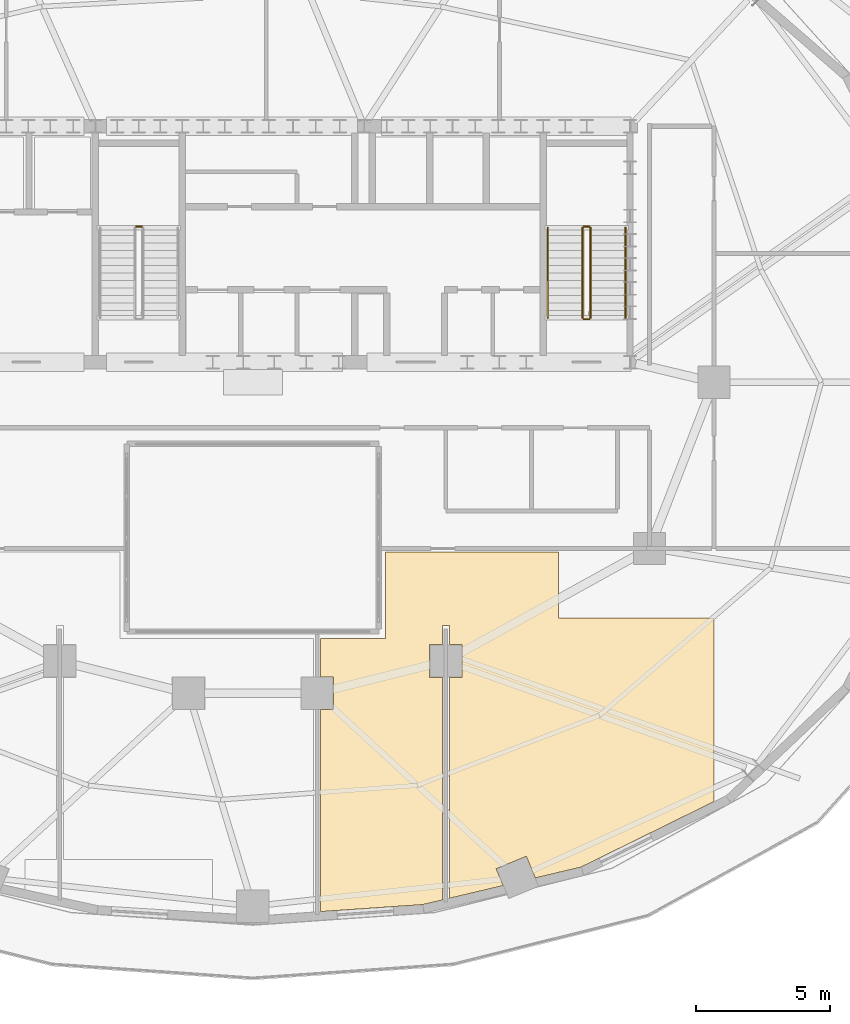
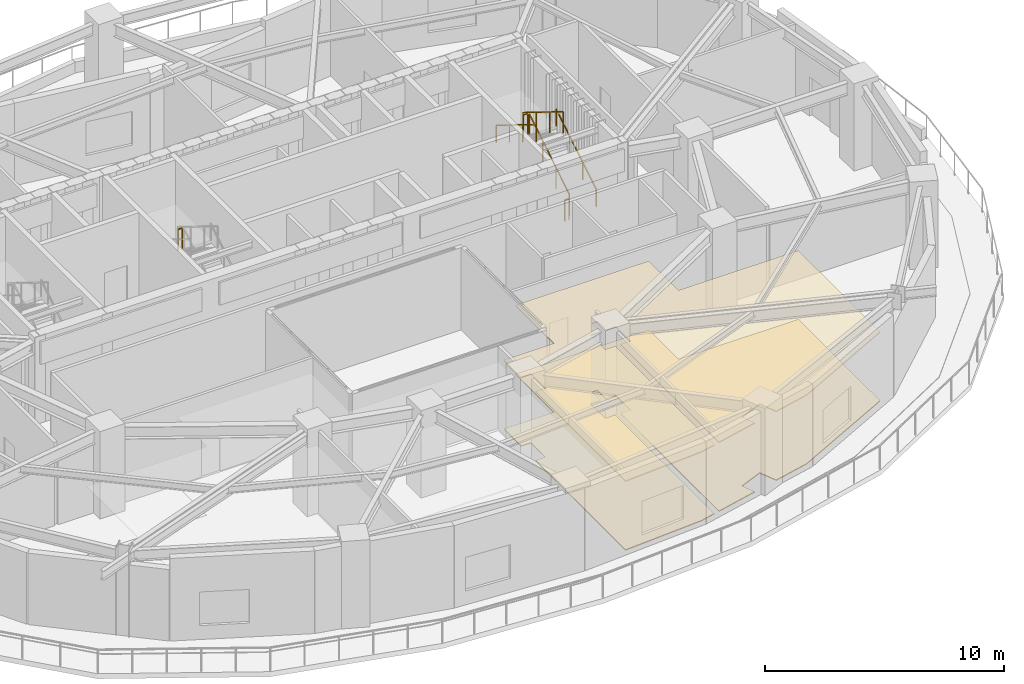
# One storey, part 11 of 11: 7 railings, 2 coverings.
"""IFC4 building model written with IfcOpenShell, lengths in metres."""

from ifc_helpers import new_model, si_unit, direction, frame, origin, origin_2d, place, context, subcontext, project, spatial, polyline, rectangle, outline, extrude, material, layer, layer_set, type_object, element, save


model = new_model("IFC4")

# Units and contexts
model_context = context("Model", 3, precision=1e-05, world=origin(), true_north=direction((0.0, 1.0)))
body_context = subcontext(model_context, "Body", "Model", "MODEL_VIEW")
ifc_project = project(units=[si_unit("LENGTHUNIT", "METRE"), si_unit("AREAUNIT", "SQUARE_METRE"), si_unit("VOLUMEUNIT", "CUBIC_METRE"), si_unit("PLANEANGLEUNIT", "RADIAN"), si_unit("MASSUNIT", "GRAM", prefix="KILO")], contexts=[model_context])

# Site, building, storey
site_placement = place(None, origin())
site = spatial("IfcSite", under=ifc_project, at=site_placement, CompositionType="ELEMENT")
building_placement = place(site_placement, origin())
building = spatial("IfcBuilding", under=site, at=building_placement, Name="Haldorwick Loom Tower", CompositionType="ELEMENT")
storey_placement = place(building_placement, frame((0.0, 0.0, 131.14990234375)))
storey = spatial("IfcBuildingStorey", under=building, at=storey_placement, Name="L35", CompositionType="ELEMENT", Elevation=131.14990234375)

# Coverings
ifc_material_1 = material(Name="Mineral Fibre Acoustic Ceiling Tile")
ifc_layer_1 = layer(ifc_material_1, 0.054931640625, Name="Mineral Fibre Acoustic Ceiling Tile")
ifc_layer_set_1 = layer_set([ifc_layer_1], Name="Mineral Fibre Acoustic Ceiling Tile")
covering_type_1 = type_object("IfcCoveringType", Name="ARC-COV-CEIL2", PredefinedType="CEILING", material=ifc_layer_set_1)
covering_1_placement = place(storey_placement, frame((0.0, 0.0, 3.508056640625)))
element("IfcCovering", 1, at=covering_1_placement, inside=storey, type_object=covering_type_1, Name="L35 Acoustic Suspended Ceiling 2", PredefinedType="CEILING", context=body_context, shape_type="SweptSolid", body=[
    extrude(outline(polyline([(53.199951171875, 10.355224609375), (53.199951171875, 17.199951171875), (47.39990234375, 17.199951171875), (47.39990234375, 19.669921875), (40.949951171875, 19.669921875), (40.949951171875, 16.449951171875), (38.530029296875, 16.449951171875), (38.530029296875, 15.008056640625), (39.008056640625, 15.008056640625), (39.008056640625, 13.7919921875), (38.530029296875, 13.7919921875), (38.530029296875, 6.25439453125), (42.34326171875, 6.515869140625), (43.070068359375, 6.68798828125), (43.070068359375, 14.991943359375), (42.592041015625, 14.991943359375), (42.592041015625, 16.2080078125), (43.070068359375, 16.2080078125), (43.070068359375, 16.909912109375), (43.070068359375, 16.912109375), (43.0703125, 16.913818359375), (43.07080078125, 16.915771484375), (43.071533203125, 16.917724609375), (43.072509765625, 16.91943359375), (43.073486328125, 16.921142578125), (43.074462890625, 16.922607421875), (43.075927734375, 16.924072265625), (43.077392578125, 16.925537109375), (43.078857421875, 16.926513671875), (43.08056640625, 16.927490234375), (43.082275390625, 16.928466796875), (43.084228515625, 16.92919921875), (43.086181640625, 16.9296875), (43.087890625, 16.929931640625), (43.090087890625, 16.929931640625), (43.31005859375, 16.929931640625), (43.31201171875, 16.929931640625), (43.31396484375, 16.9296875), (43.31591796875, 16.92919921875), (43.317626953125, 16.928466796875), (43.3193359375, 16.927490234375), (43.321044921875, 16.926513671875), (43.32275390625, 16.925537109375), (43.32421875, 16.924072265625), (43.325439453125, 16.922607421875), (43.32666015625, 16.921142578125), (43.32763671875, 16.91943359375), (43.32861328125, 16.917724609375), (43.3291015625, 16.915771484375), (43.32958984375, 16.913818359375), (43.329833984375, 16.912109375), (43.330078125, 16.909912109375), (43.330078125, 16.2080078125), (43.80810546875, 16.2080078125), (43.80810546875, 14.991943359375), (43.330078125, 14.991943359375), (43.330078125, 6.749755859375), (45.338134765625, 7.225341796875), (45.078857421875, 7.851318359375), (46.2021484375, 8.31689453125), (46.53662109375, 7.509521484375), (48.241943359375, 7.913330078125), (53.199951171875, 10.355224609375)])), origin(), (0.0, 0.0, 1.0), 0.054931640625),
])
ifc_material_2 = material(Name="Polished Aggregate Terrazzo Finish")
ifc_layer_2 = layer(ifc_material_2, 0.044921875, Name="Polished Aggregate Terrazzo Finish")
ifc_layer_set_2 = layer_set([ifc_layer_2], Name="Polished Aggregate Terrazzo Finish")
covering_type_2 = type_object("IfcCoveringType", Name="ARC-COV-FLOOR2", PredefinedType="FLOORING", material=ifc_layer_set_2)
covering_2_placement = place(storey_placement, origin())
element("IfcCovering", 2, at=covering_2_placement, inside=storey, type_object=covering_type_2, Name="L35 Floor Finish 2", PredefinedType="FLOORING", context=body_context, shape_type="SweptSolid", body=[
    extrude(outline(polyline([(53.199951171875, 10.355224609375), (53.199951171875, 17.199951171875), (47.39990234375, 17.199951171875), (47.39990234375, 19.669921875), (40.949951171875, 19.669921875), (40.949951171875, 16.449951171875), (38.530029296875, 16.449951171875), (38.530029296875, 15.008056640625), (39.008056640625, 15.008056640625), (39.008056640625, 13.7919921875), (38.530029296875, 13.7919921875), (38.530029296875, 6.25439453125), (42.34326171875, 6.515869140625), (43.070068359375, 6.68798828125), (43.070068359375, 14.991943359375), (42.592041015625, 14.991943359375), (42.592041015625, 16.2080078125), (43.070068359375, 16.2080078125), (43.070068359375, 16.909912109375), (43.070068359375, 16.912109375), (43.0703125, 16.913818359375), (43.07080078125, 16.915771484375), (43.071533203125, 16.917724609375), (43.072509765625, 16.91943359375), (43.073486328125, 16.921142578125), (43.074462890625, 16.922607421875), (43.075927734375, 16.924072265625), (43.077392578125, 16.925537109375), (43.078857421875, 16.926513671875), (43.08056640625, 16.927490234375), (43.082275390625, 16.928466796875), (43.084228515625, 16.92919921875), (43.086181640625, 16.9296875), (43.087890625, 16.929931640625), (43.090087890625, 16.929931640625), (43.31005859375, 16.929931640625), (43.31201171875, 16.929931640625), (43.31396484375, 16.9296875), (43.31591796875, 16.92919921875), (43.317626953125, 16.928466796875), (43.3193359375, 16.927490234375), (43.321044921875, 16.926513671875), (43.32275390625, 16.925537109375), (43.32421875, 16.924072265625), (43.325439453125, 16.922607421875), (43.32666015625, 16.921142578125), (43.32763671875, 16.91943359375), (43.32861328125, 16.917724609375), (43.3291015625, 16.915771484375), (43.32958984375, 16.913818359375), (43.329833984375, 16.912109375), (43.330078125, 16.909912109375), (43.330078125, 16.2080078125), (43.80810546875, 16.2080078125), (43.80810546875, 14.991943359375), (43.330078125, 14.991943359375), (43.330078125, 6.749755859375), (45.338134765625, 7.225341796875), (45.078857421875, 7.851318359375), (46.2021484375, 8.31689453125), (46.53662109375, 7.509521484375), (48.241943359375, 7.913330078125), (53.199951171875, 10.355224609375)])), origin(), (0.0, 0.0, 1.0), 0.045166015625),
])

# Railings
ifc_material_3 = material(Name="Steel CSA G40.21 350W", Category="steel")
railing_type_1 = type_object("IfcRailingType", Name="ARC-RLG-GUARD112", PredefinedType="GUARDRAIL", material=ifc_material_3)
railing_1_placement = place(storey_placement, frame((48.60009765625, 28.39990234375, 0.173095703125)))
element("IfcRailing", 3, at=railing_1_placement, inside=storey, type_object=railing_type_1, Name="L35 ST-02 stair guard 1", PredefinedType="GUARDRAIL", context=body_context, shape_type="SweptSolid", body=[
    extrude(rectangle(XDim=0.048095703125, YDim=0.048095703125, at=origin_2d()), frame((0.0, 0.0, 1.076171875), z_axis=(0.0, 0.850623216509, 0.525775754039), x_axis=(-1.0, 0.0, 0.0)), (0.0, 0.0, 1.0), 3.9501953125),
    extrude(rectangle(XDim=0.0419921875, YDim=0.0419921875, at=origin_2d()), origin(), (0.0, 0.0, 1.0), 1.052001953125),
    extrude(rectangle(XDim=0.0419921875, YDim=0.0419921875, at=origin_2d()), frame((0.0, 1.1201171875, 0.6923828125)), (0.0, 0.0, 1.0), 1.052001953125),
    extrude(rectangle(XDim=0.0419921875, YDim=0.0419921875, at=origin_2d()), frame((0.0, 2.239990234375, 1.384521484375)), (0.0, 0.0, 1.0), 1.052001953125),
    extrude(rectangle(XDim=0.0419921875, YDim=0.0419921875, at=origin_2d()), frame((0.0, 3.360107421875, 2.076904296875)), (0.0, 0.0, 1.0), 1.052001953125),
])
railing_2_placement = place(storey_placement, frame((48.550048828125, 31.81005859375, 2.25)))
element("IfcRailing", 4, at=railing_2_placement, inside=storey, type_object=railing_type_1, Name="L35 ST-02 stair guard 2", PredefinedType="GUARDRAIL", context=body_context, shape_type="SweptSolid", body=[
    extrude(rectangle(XDim=0.048095703125, YDim=0.048095703125, at=origin_2d()), frame((0.0, 0.0, 1.076171875), z_axis=(-1.0, 0.0, 0.0), x_axis=(0.0, -1.0, 0.0)), (0.0, 0.0, 1.0), 0.199951171875),
    extrude(rectangle(XDim=0.0419921875, YDim=0.0419921875, at=origin_2d()), origin(), (0.0, 0.0, 1.0), 1.052001953125),
    extrude(rectangle(XDim=0.0419921875, YDim=0.0419921875, at=origin_2d()), frame((-0.199951171875, 0.0, 0.0)), (0.0, 0.0, 1.0), 1.052001953125),
])
railing_3_placement = place(storey_placement, frame((48.300048828125, 31.760009765625, 2.423095703125)))
element("IfcRailing", 5, at=railing_3_placement, inside=storey, type_object=railing_type_1, Name="L35 ST-02 stair guard 3", PredefinedType="GUARDRAIL", context=body_context, shape_type="SweptSolid", body=[
    extrude(rectangle(XDim=0.048095703125, YDim=0.048095703125, at=origin_2d()), frame((0.0, 0.0, 1.076171875), z_axis=(0.0, -0.850623216509, 0.525775754039), x_axis=(1.0, 0.0, 0.0)), (0.0, 0.0, 1.0), 3.9501953125),
    extrude(rectangle(XDim=0.0419921875, YDim=0.0419921875, at=origin_2d()), origin(), (0.0, 0.0, 1.0), 1.052001953125),
    extrude(rectangle(XDim=0.0419921875, YDim=0.0419921875, at=origin_2d()), frame((0.0, -1.1201171875, 0.6923828125)), (0.0, 0.0, 1.0), 1.052001953125),
    extrude(rectangle(XDim=0.0419921875, YDim=0.0419921875, at=origin_2d()), frame((0.0, -2.239990234375, 1.384521484375)), (0.0, 0.0, 1.0), 1.052001953125),
    extrude(rectangle(XDim=0.0419921875, YDim=0.0419921875, at=origin_2d()), frame((0.0, -3.360107421875, 2.076904296875)), (0.0, 0.0, 1.0), 1.052001953125),
])
railing_4_placement = place(storey_placement, frame((48.550048828125, 28.35009765625, 0.0)))
element("IfcRailing", 6, at=railing_4_placement, inside=storey, type_object=railing_type_1, Name="L35 ST-02 stair guard 4", PredefinedType="GUARDRAIL", context=body_context, shape_type="SweptSolid", body=[
    extrude(rectangle(XDim=0.048095703125, YDim=0.048095703125, at=origin_2d()), frame((0.0, 0.0, 1.076171875), z_axis=(-1.0, 0.0, 0.0), x_axis=(0.0, -1.0, 0.0)), (0.0, 0.0, 1.0), 0.199951171875),
    extrude(rectangle(XDim=0.0419921875, YDim=0.0419921875, at=origin_2d()), origin(), (0.0, 0.0, 1.0), 1.052001953125),
    extrude(rectangle(XDim=0.0419921875, YDim=0.0419921875, at=origin_2d()), frame((-0.199951171875, 0.0, 0.0)), (0.0, 0.0, 1.0), 1.052001953125),
])
railing_5_placement = place(storey_placement, frame((31.85009765625, 31.81005859375, 2.25)))
element("IfcRailing", 7, at=railing_5_placement, inside=storey, type_object=railing_type_1, Name="L35 ST-03 stair guard 2", PredefinedType="GUARDRAIL", context=body_context, shape_type="SweptSolid", body=[
    extrude(rectangle(XDim=0.048095703125, YDim=0.048095703125, at=origin_2d()), frame((0.0, 0.0, 1.076171875), z_axis=(-1.0, 0.0, 0.0), x_axis=(0.0, -1.0, 0.0)), (0.0, 0.0, 1.0), 0.2001953125),
    extrude(rectangle(XDim=0.0419921875, YDim=0.0419921875, at=origin_2d()), origin(), (0.0, 0.0, 1.0), 1.052001953125),
    extrude(rectangle(XDim=0.0419921875, YDim=0.0419921875, at=origin_2d()), frame((-0.2001953125, 0.0, 0.0)), (0.0, 0.0, 1.0), 1.052001953125),
])
railing_type_2 = type_object("IfcRailingType", Name="ARC-RLG-HAND092", PredefinedType="HANDRAIL", material=ifc_material_3)
railing_6_placement = place(storey_placement, frame((49.89990234375, 28.39990234375, 0.173095703125)))
element("IfcRailing", 8, at=railing_6_placement, inside=storey, type_object=railing_type_2, Name="L35 ST-02 stair handrail 1", PredefinedType="HANDRAIL", context=body_context, shape_type="SweptSolid", body=[
    extrude(rectangle(XDim=0.048095703125, YDim=0.048095703125, at=origin_2d()), frame((0.0, 0.0, 0.8759765625), z_axis=(0.0, 0.850623216509, 0.525775754039), x_axis=(-1.0, 0.0, 0.0)), (0.0, 0.0, 1.0), 3.9501953125),
    extrude(rectangle(XDim=0.0419921875, YDim=0.0419921875, at=origin_2d()), origin(), (0.0, 0.0, 1.0), 0.851806640625),
    extrude(rectangle(XDim=0.0419921875, YDim=0.0419921875, at=origin_2d()), frame((0.0, 1.1201171875, 0.6923828125)), (0.0, 0.0, 1.0), 0.851806640625),
    extrude(rectangle(XDim=0.0419921875, YDim=0.0419921875, at=origin_2d()), frame((0.0, 2.239990234375, 1.384521484375)), (0.0, 0.0, 1.0), 0.851806640625),
    extrude(rectangle(XDim=0.0419921875, YDim=0.0419921875, at=origin_2d()), frame((0.0, 3.360107421875, 2.076904296875)), (0.0, 0.0, 1.0), 0.851806640625),
])
railing_7_placement = place(storey_placement, frame((47.0, 31.760009765625, 2.423095703125)))
element("IfcRailing", 9, at=railing_7_placement, inside=storey, type_object=railing_type_2, Name="L35 ST-02 stair handrail 2", PredefinedType="HANDRAIL", context=body_context, shape_type="SweptSolid", body=[
    extrude(rectangle(XDim=0.048095703125, YDim=0.048095703125, at=origin_2d()), frame((0.0, 0.0, 0.8759765625), z_axis=(0.0, -0.850623216509, 0.525775754039), x_axis=(1.0, 0.0, 0.0)), (0.0, 0.0, 1.0), 3.9501953125),
    extrude(rectangle(XDim=0.0419921875, YDim=0.0419921875, at=origin_2d()), origin(), (0.0, 0.0, 1.0), 0.851806640625),
    extrude(rectangle(XDim=0.0419921875, YDim=0.0419921875, at=origin_2d()), frame((0.0, -1.1201171875, 0.6923828125)), (0.0, 0.0, 1.0), 0.851806640625),
    extrude(rectangle(XDim=0.0419921875, YDim=0.0419921875, at=origin_2d()), frame((0.0, -2.239990234375, 1.384521484375)), (0.0, 0.0, 1.0), 0.851806640625),
    extrude(rectangle(XDim=0.0419921875, YDim=0.0419921875, at=origin_2d()), frame((0.0, -3.360107421875, 2.076904296875)), (0.0, 0.0, 1.0), 0.851806640625),
])

save(model, "model.ifc")
